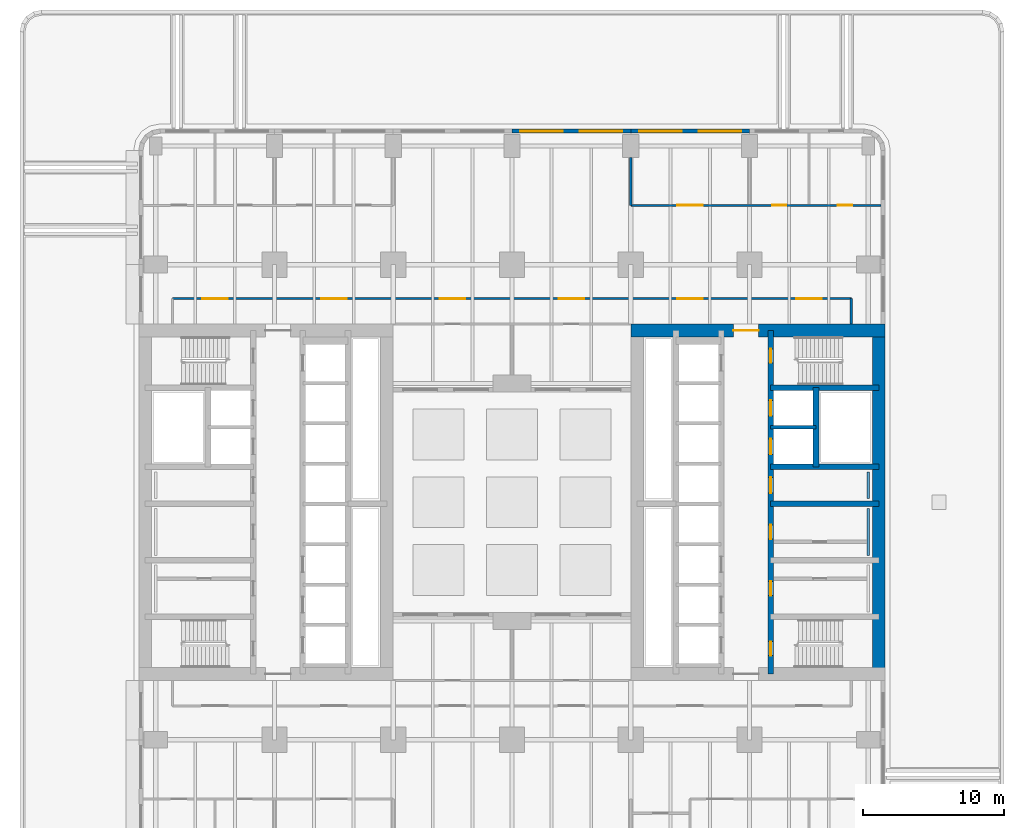
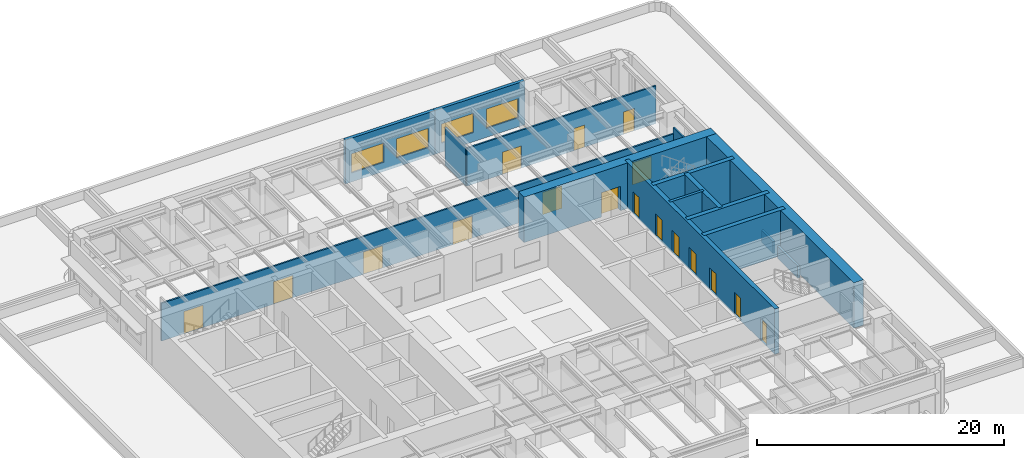
# One storey, part 8 of 17: 17 doors, 16 walls, 4 windows, 21 openings.
"""IFC4 building model written with IfcOpenShell, lengths in metres."""

from ifc_helpers import new_model, si_unit, direction, frame, frame_2d, origin, place, context, subcontext, project, spatial, rectangle, extrude, material, layer, layer_set, type_object, element, fill, save


model = new_model("IFC4")

# Units and contexts
model_context = context("Model", 3, precision=1e-05, world=origin(), true_north=direction((0.0, 1.0)))
body_context = subcontext(model_context, "Body", "Model", "MODEL_VIEW")
ifc_project = project(units=[si_unit("LENGTHUNIT", "METRE"), si_unit("AREAUNIT", "SQUARE_METRE"), si_unit("VOLUMEUNIT", "CUBIC_METRE"), si_unit("PLANEANGLEUNIT", "RADIAN"), si_unit("MASSUNIT", "GRAM", prefix="KILO")], contexts=[model_context])

# Site, building, storey
site_placement = place(None, origin())
site = spatial("IfcSite", under=ifc_project, at=site_placement, CompositionType="ELEMENT")
building_placement = place(site_placement, origin())
building = spatial("IfcBuilding", under=site, at=building_placement, Name="Claustro Exchange Tower", CompositionType="ELEMENT")
storey_placement = place(building_placement, frame((0.0, 0.0, 18.89990234375)))
storey = spatial("IfcBuildingStorey", under=building, at=storey_placement, Name="L04", CompositionType="ELEMENT", Elevation=18.89990234375)

# Wall, openings, doors
ifc_material_1 = material(Name="Gypsum board on steel studs", Category="steel")
ifc_layer_1 = layer(ifc_material_1, 0.14990234375)
ifc_layer_set_1 = layer_set([ifc_layer_1], Name="Gypsum board on steel studs")
wall_type_1 = type_object("IfcWallType", Name="P1 150 plasterboard partition", PredefinedType="PARTITIONING", material=ifc_layer_set_1)
wall_1_placement = place(storey_placement, frame((33.60009765625, 46.199951171875, 0.0), z_axis=(0.0, 0.0, 1.0), x_axis=(1.0, 0.0, 0.0)))
wall_1 = element("IfcWall", 1, at=wall_1_placement, inside=storey, type_object=wall_type_1, Name="Partition P1 L04", PredefinedType="PARTITIONING", context=body_context, shape_type="SweptSolid", body=[
    extrude(rectangle(XDim=17.701904296875, YDim=0.14990234375, at=frame_2d((8.85107421875, 0.0))), origin(), (0.0, 0.0, 1.0), 3.739990234375),
])
opening_1_placement = place(wall_1_placement, frame((3.300048828125, 0.0, 0.0)))
opening_1 = element("IfcOpeningElement", 2, at=opening_1_placement, cuts=wall_1, Name="Opening D2", PredefinedType="OPENING", context=body_context, shape_type="SweptSolid", body=[
    extrude(rectangle(XDim=1.800048828125, YDim=2.199951171875, at=frame_2d((0.89990234375, 1.10009765625))), frame((0.0, 0.0849609375, 0.0), z_axis=(0.0, -1.0, 0.0), x_axis=(1.0, 0.0, 0.0)), (0.0, 0.0, 1.0), 0.169921875),
])
opening_2_placement = place(wall_1_placement, frame((10.0, 0.0, 0.0)))
opening_2 = element("IfcOpeningElement", 3, at=opening_2_placement, cuts=wall_1, Name="Opening D1", PredefinedType="OPENING", context=body_context, shape_type="SweptSolid", body=[
    extrude(rectangle(XDim=1.0, YDim=2.199951171875, at=frame_2d((0.5, 1.10009765625))), frame((0.0, 0.0849609375, 0.0), z_axis=(0.0, -1.0, 0.0), x_axis=(1.0, 0.0, 0.0)), (0.0, 0.0, 1.0), 0.169921875),
])
opening_3_placement = place(wall_1_placement, frame((14.64990234375, 0.0, 0.0)))
opening_3 = element("IfcOpeningElement", 4, at=opening_3_placement, cuts=wall_1, Name="Opening D1", PredefinedType="OPENING", context=body_context, shape_type="SweptSolid", body=[
    extrude(rectangle(XDim=1.0, YDim=2.199951171875, at=frame_2d((0.5, 1.10009765625))), frame((0.0, 0.0849609375, 0.0), z_axis=(0.0, -1.0, 0.0), x_axis=(1.0, 0.0, 0.0)), (0.0, 0.0, 1.0), 0.169921875),
])
ifc_material_2 = material(Name="Timber door, oak veneer", Category="wood")
door_type_1 = type_object("IfcDoorType", Name="D1 1000 x 2200 single door", OperationType="SINGLE_SWING_LEFT", PredefinedType="DOOR", material=ifc_material_2)
door_1_placement = place(opening_2_placement, origin())
door_1 = element("IfcDoor", 5, at=door_1_placement, inside=storey, type_object=door_type_1, Name="Door D1 L04", OperationType="SINGLE_SWING_LEFT", OverallHeight=2.199951171875, OverallWidth=1.0, PredefinedType="DOOR", context=body_context, shape_type="SweptSolid", body=[
    extrude(rectangle(XDim=1.0, YDim=2.199951171875, at=frame_2d((0.5, 1.10009765625))), frame((0.0, 0.02490234375, 0.0), z_axis=(0.0, -1.0, 0.0), x_axis=(1.0, 0.0, 0.0)), (0.0, 0.0, 1.0), 0.050048828125),
])
fill(opening_2, door_1)
door_2_placement = place(opening_3_placement, origin())
door_2 = element("IfcDoor", 6, at=door_2_placement, inside=storey, type_object=door_type_1, Name="Door D1 L04", OperationType="SINGLE_SWING_LEFT", OverallHeight=2.199951171875, OverallWidth=1.0, PredefinedType="DOOR", context=body_context, shape_type="SweptSolid", body=[
    extrude(rectangle(XDim=1.0, YDim=2.199951171875, at=frame_2d((0.5, 1.10009765625))), frame((0.0, 0.02490234375, 0.0), z_axis=(0.0, -1.0, 0.0), x_axis=(1.0, 0.0, 0.0)), (0.0, 0.0, 1.0), 0.050048828125),
])
fill(opening_3, door_2)
ifc_material_3 = material(Name="Timber door, oak veneer", Category="wood")
door_type_2 = type_object("IfcDoorType", Name="D2 1800 x 2200 double door", OperationType="DOUBLE_DOOR_SINGLE_SWING", PredefinedType="DOOR", material=ifc_material_3)
door_3_placement = place(opening_1_placement, origin())
door_3 = element("IfcDoor", 7, at=door_3_placement, inside=storey, type_object=door_type_2, Name="Double door D2 L04", OperationType="DOUBLE_DOOR_SINGLE_SWING", OverallHeight=2.199951171875, OverallWidth=1.800048828125, PredefinedType="DOOR", context=body_context, shape_type="SweptSolid", body=[
    extrude(rectangle(XDim=1.800048828125, YDim=2.199951171875, at=frame_2d((0.89990234375, 1.10009765625))), frame((0.0, 0.02490234375, 0.0), z_axis=(0.0, -1.0, 0.0), x_axis=(1.0, 0.0, 0.0)), (0.0, 0.0, 1.0), 0.050048828125),
])
fill(opening_1, door_3)

# Wall
wall_2_placement = place(storey_placement, frame((33.60009765625, 46.199951171875, 0.0), z_axis=(0.0, 0.0, 1.0), x_axis=(0.0, 1.0, 0.0)))
element("IfcWall", 8, at=wall_2_placement, inside=storey, type_object=wall_type_1, Name="Partition P1 L04", PredefinedType="PARTITIONING", context=body_context, shape_type="SweptSolid", body=[
    extrude(rectangle(XDim=3.401123046875, YDim=0.14990234375, at=frame_2d((1.70068359375, 0.0))), origin(), (0.0, 0.0, 1.0), 3.739990234375),
])

# Wall, openings, doors
wall_3_placement = place(storey_placement, frame((1.199951171875, 39.60009765625, 0.0), z_axis=(0.0, 0.0, 1.0), x_axis=(1.0, 0.0, 0.0)))
wall_3 = element("IfcWall", 9, at=wall_3_placement, inside=storey, type_object=wall_type_1, Name="Partition P1 L04", PredefinedType="PARTITIONING", context=body_context, shape_type="SweptSolid", body=[
    extrude(rectangle(XDim=48.0, YDim=0.14990234375, at=frame_2d((24.0, 0.0))), origin(), (0.0, 0.0, 1.0), 3.739990234375),
])
opening_4_placement = place(wall_3_placement, frame((2.10009765625, 0.0, 0.0)))
opening_4 = element("IfcOpeningElement", 10, at=opening_4_placement, cuts=wall_3, Name="Opening D2", PredefinedType="OPENING", context=body_context, shape_type="SweptSolid", body=[
    extrude(rectangle(XDim=1.800048828125, YDim=2.199951171875, at=frame_2d((0.89990234375, 1.10009765625))), frame((0.0, 0.0849609375, 0.0), z_axis=(0.0, -1.0, 0.0), x_axis=(1.0, 0.0, 0.0)), (0.0, 0.0, 1.0), 0.169921875),
])
opening_5_placement = place(wall_3_placement, frame((10.5, 0.0, 0.0)))
opening_5 = element("IfcOpeningElement", 11, at=opening_5_placement, cuts=wall_3, Name="Opening D2", PredefinedType="OPENING", context=body_context, shape_type="SweptSolid", body=[
    extrude(rectangle(XDim=1.800048828125, YDim=2.199951171875, at=frame_2d((0.89990234375, 1.10009765625))), frame((0.0, 0.0849609375, 0.0), z_axis=(0.0, -1.0, 0.0), x_axis=(1.0, 0.0, 0.0)), (0.0, 0.0, 1.0), 0.169921875),
])
opening_6_placement = place(wall_3_placement, frame((18.89990234375, 0.0, 0.0)))
opening_6 = element("IfcOpeningElement", 12, at=opening_6_placement, cuts=wall_3, Name="Opening D2", PredefinedType="OPENING", context=body_context, shape_type="SweptSolid", body=[
    extrude(rectangle(XDim=1.800048828125, YDim=2.199951171875, at=frame_2d((0.89990234375, 1.10009765625))), frame((0.0, 0.0849609375, 0.0), z_axis=(0.0, -1.0, 0.0), x_axis=(1.0, 0.0, 0.0)), (0.0, 0.0, 1.0), 0.169921875),
])
opening_7_placement = place(wall_3_placement, frame((27.300048828125, 0.0, 0.0)))
opening_7 = element("IfcOpeningElement", 13, at=opening_7_placement, cuts=wall_3, Name="Opening D2", PredefinedType="OPENING", context=body_context, shape_type="SweptSolid", body=[
    extrude(rectangle(XDim=1.800048828125, YDim=2.199951171875, at=frame_2d((0.89990234375, 1.10009765625))), frame((0.0, 0.0849609375, 0.0), z_axis=(0.0, -1.0, 0.0), x_axis=(1.0, 0.0, 0.0)), (0.0, 0.0, 1.0), 0.169921875),
])
opening_8_placement = place(wall_3_placement, frame((35.699951171875, 0.0, 0.0)))
opening_8 = element("IfcOpeningElement", 14, at=opening_8_placement, cuts=wall_3, Name="Opening D2", PredefinedType="OPENING", context=body_context, shape_type="SweptSolid", body=[
    extrude(rectangle(XDim=1.800048828125, YDim=2.199951171875, at=frame_2d((0.89990234375, 1.10009765625))), frame((0.0, 0.0849609375, 0.0), z_axis=(0.0, -1.0, 0.0), x_axis=(1.0, 0.0, 0.0)), (0.0, 0.0, 1.0), 0.169921875),
])
opening_9_placement = place(wall_3_placement, frame((44.10009765625, 0.0, 0.0)))
opening_9 = element("IfcOpeningElement", 15, at=opening_9_placement, cuts=wall_3, Name="Opening D2", PredefinedType="OPENING", context=body_context, shape_type="SweptSolid", body=[
    extrude(rectangle(XDim=1.800048828125, YDim=2.199951171875, at=frame_2d((0.89990234375, 1.10009765625))), frame((0.0, 0.0849609375, 0.0), z_axis=(0.0, -1.0, 0.0), x_axis=(1.0, 0.0, 0.0)), (0.0, 0.0, 1.0), 0.169921875),
])
door_4_placement = place(opening_4_placement, origin())
door_4 = element("IfcDoor", 16, at=door_4_placement, inside=storey, type_object=door_type_2, Name="Double door D2 L04", OperationType="DOUBLE_DOOR_SINGLE_SWING", OverallHeight=2.199951171875, OverallWidth=1.800048828125, PredefinedType="DOOR", context=body_context, shape_type="SweptSolid", body=[
    extrude(rectangle(XDim=1.800048828125, YDim=2.199951171875, at=frame_2d((0.89990234375, 1.10009765625))), frame((0.0, 0.02490234375, 0.0), z_axis=(0.0, -1.0, 0.0), x_axis=(1.0, 0.0, 0.0)), (0.0, 0.0, 1.0), 0.050048828125),
])
fill(opening_4, door_4)
door_5_placement = place(opening_5_placement, origin())
door_5 = element("IfcDoor", 17, at=door_5_placement, inside=storey, type_object=door_type_2, Name="Double door D2 L04", OperationType="DOUBLE_DOOR_SINGLE_SWING", OverallHeight=2.199951171875, OverallWidth=1.800048828125, PredefinedType="DOOR", context=body_context, shape_type="SweptSolid", body=[
    extrude(rectangle(XDim=1.800048828125, YDim=2.199951171875, at=frame_2d((0.89990234375, 1.10009765625))), frame((0.0, 0.02490234375, 0.0), z_axis=(0.0, -1.0, 0.0), x_axis=(1.0, 0.0, 0.0)), (0.0, 0.0, 1.0), 0.050048828125),
])
fill(opening_5, door_5)
door_6_placement = place(opening_6_placement, origin())
door_6 = element("IfcDoor", 18, at=door_6_placement, inside=storey, type_object=door_type_2, Name="Double door D2 L04", OperationType="DOUBLE_DOOR_SINGLE_SWING", OverallHeight=2.199951171875, OverallWidth=1.800048828125, PredefinedType="DOOR", context=body_context, shape_type="SweptSolid", body=[
    extrude(rectangle(XDim=1.800048828125, YDim=2.199951171875, at=frame_2d((0.89990234375, 1.10009765625))), frame((0.0, 0.02490234375, 0.0), z_axis=(0.0, -1.0, 0.0), x_axis=(1.0, 0.0, 0.0)), (0.0, 0.0, 1.0), 0.050048828125),
])
fill(opening_6, door_6)
door_7_placement = place(opening_7_placement, origin())
door_7 = element("IfcDoor", 19, at=door_7_placement, inside=storey, type_object=door_type_2, Name="Double door D2 L04", OperationType="DOUBLE_DOOR_SINGLE_SWING", OverallHeight=2.199951171875, OverallWidth=1.800048828125, PredefinedType="DOOR", context=body_context, shape_type="SweptSolid", body=[
    extrude(rectangle(XDim=1.800048828125, YDim=2.199951171875, at=frame_2d((0.89990234375, 1.10009765625))), frame((0.0, 0.02490234375, 0.0), z_axis=(0.0, -1.0, 0.0), x_axis=(1.0, 0.0, 0.0)), (0.0, 0.0, 1.0), 0.050048828125),
])
fill(opening_7, door_7)
door_8_placement = place(opening_8_placement, origin())
door_8 = element("IfcDoor", 20, at=door_8_placement, inside=storey, type_object=door_type_2, Name="Double door D2 L04", OperationType="DOUBLE_DOOR_SINGLE_SWING", OverallHeight=2.199951171875, OverallWidth=1.800048828125, PredefinedType="DOOR", context=body_context, shape_type="SweptSolid", body=[
    extrude(rectangle(XDim=1.800048828125, YDim=2.199951171875, at=frame_2d((0.89990234375, 1.10009765625))), frame((0.0, 0.02490234375, 0.0), z_axis=(0.0, -1.0, 0.0), x_axis=(1.0, 0.0, 0.0)), (0.0, 0.0, 1.0), 0.050048828125),
])
fill(opening_8, door_8)
door_9_placement = place(opening_9_placement, origin())
door_9 = element("IfcDoor", 21, at=door_9_placement, inside=storey, type_object=door_type_2, Name="Double door D2 L04", OperationType="DOUBLE_DOOR_SINGLE_SWING", OverallHeight=2.199951171875, OverallWidth=1.800048828125, PredefinedType="DOOR", context=body_context, shape_type="SweptSolid", body=[
    extrude(rectangle(XDim=1.800048828125, YDim=2.199951171875, at=frame_2d((0.89990234375, 1.10009765625))), frame((0.0, 0.02490234375, 0.0), z_axis=(0.0, -1.0, 0.0), x_axis=(1.0, 0.0, 0.0)), (0.0, 0.0, 1.0), 0.050048828125),
])
fill(opening_9, door_9)

# Wall
wall_4_placement = place(storey_placement, frame((49.199951171875, 37.800048828125, 0.0), z_axis=(0.0, 0.0, 1.0), x_axis=(0.0, 1.0, 0.0)))
element("IfcWall", 22, at=wall_4_placement, inside=storey, type_object=wall_type_1, Name="Partition P1 L04", PredefinedType="PARTITIONING", context=body_context, shape_type="SweptSolid", body=[
    extrude(rectangle(XDim=1.800048828125, YDim=0.14990234375, at=frame_2d((0.89990234375, 0.0))), origin(), (0.0, 0.0, 1.0), 4.340087890625),
])

# Wall, openings, windows
ifc_material_4 = material(Name="Concrete HA-40 (C40/50), precast, white cement, acid-etched", Category="concrete")
ifc_layer_2 = layer(ifc_material_4, 0.300048828125)
ifc_layer_set_2 = layer_set([ifc_layer_2], Name="Concrete HA-40 (C40/50), precast, white cement, acid-etched")
wall_type_2 = type_object("IfcWallType", Name="PC1 300 precast concrete pier panel", PredefinedType="SOLIDWALL", material=ifc_layer_set_2)
wall_5_placement = place(storey_placement, frame((25.199951171875, 51.449951171875, 0.0), z_axis=(0.0, 0.0, 1.0), x_axis=(1.0, 0.0, 0.0)))
wall_5 = element("IfcWall", 23, at=wall_5_placement, inside=storey, type_object=wall_type_2, Name="Precast pier panel PC1 L04", PredefinedType="SOLIDWALL", context=body_context, shape_type="SweptSolid", body=[
    extrude(rectangle(XDim=8.400146484375, YDim=0.300048828125, at=frame_2d((4.2001953125, 0.0))), origin(), (0.0, 0.0, 1.0), 4.340087890625),
])
opening_10_placement = place(wall_5_placement, frame((0.60009765625, 0.0, 0.89990234375)))
opening_10 = element("IfcOpeningElement", 24, at=opening_10_placement, cuts=wall_5, Name="Opening W1", PredefinedType="OPENING", context=body_context, shape_type="SweptSolid", body=[
    extrude(rectangle(XDim=3.0, YDim=1.89990234375, at=frame_2d((1.5, 0.949951171875))), frame((0.0, 0.159912109375, 0.0), z_axis=(0.0, -1.0, 0.0), x_axis=(1.0, 0.0, 0.0)), (0.0, 0.0, 1.0), 0.320068359375),
])
opening_11_placement = place(wall_5_placement, frame((4.800048828125, 0.0, 0.89990234375)))
opening_11 = element("IfcOpeningElement", 25, at=opening_11_placement, cuts=wall_5, Name="Opening W1", PredefinedType="OPENING", context=body_context, shape_type="SweptSolid", body=[
    extrude(rectangle(XDim=3.0, YDim=1.89990234375, at=frame_2d((1.5, 0.949951171875))), frame((0.0, 0.159912109375, 0.0), z_axis=(0.0, -1.0, 0.0), x_axis=(1.0, 0.0, 0.0)), (0.0, 0.0, 1.0), 0.320068359375),
])
ifc_material_5 = material(Name="Aluminium frame, clear double glazing", Category="aluminium")
window_type = type_object("IfcWindowType", Name="W1 3000 x 1900 window", PartitioningType="SINGLE_PANEL", PredefinedType="WINDOW", material=ifc_material_5)
window_1_placement = place(opening_10_placement, origin())
window_1 = element("IfcWindow", 26, at=window_1_placement, inside=storey, type_object=window_type, Name="Window W1 L04", OverallHeight=1.89990234375, OverallWidth=3.0, PartitioningType="SINGLE_PANEL", PredefinedType="WINDOW", context=body_context, shape_type="SweptSolid", body=[
    extrude(rectangle(XDim=3.0, YDim=1.89990234375, at=frame_2d((1.5, 0.949951171875))), frame((0.0, 0.030029296875, 0.0), z_axis=(0.0, -1.0, 0.0), x_axis=(1.0, 0.0, 0.0)), (0.0, 0.0, 1.0), 0.06005859375),
])
fill(opening_10, window_1)
window_2_placement = place(opening_11_placement, origin())
window_2 = element("IfcWindow", 27, at=window_2_placement, inside=storey, type_object=window_type, Name="Window W1 L04", OverallHeight=1.89990234375, OverallWidth=3.0, PartitioningType="SINGLE_PANEL", PredefinedType="WINDOW", context=body_context, shape_type="SweptSolid", body=[
    extrude(rectangle(XDim=3.0, YDim=1.89990234375, at=frame_2d((1.5, 0.949951171875))), frame((0.0, 0.030029296875, 0.0), z_axis=(0.0, -1.0, 0.0), x_axis=(1.0, 0.0, 0.0)), (0.0, 0.0, 1.0), 0.06005859375),
])
fill(opening_11, window_2)

wall_6_placement = place(storey_placement, frame((33.60009765625, 51.449951171875, 0.0), z_axis=(0.0, 0.0, 1.0), x_axis=(1.0, 0.0, 0.0)))
wall_6 = element("IfcWall", 28, at=wall_6_placement, inside=storey, type_object=wall_type_2, Name="Precast pier panel PC1 L04", PredefinedType="SOLIDWALL", context=body_context, shape_type="SweptSolid", body=[
    extrude(rectangle(XDim=8.39990234375, YDim=0.300048828125, at=frame_2d((4.199951171875, 0.0))), origin(), (0.0, 0.0, 1.0), 4.340087890625),
])
opening_12_placement = place(wall_6_placement, frame((0.60009765625, 0.0, 0.89990234375)))
opening_12 = element("IfcOpeningElement", 29, at=opening_12_placement, cuts=wall_6, Name="Opening W1", PredefinedType="OPENING", context=body_context, shape_type="SweptSolid", body=[
    extrude(rectangle(XDim=3.0, YDim=1.89990234375, at=frame_2d((1.5, 0.949951171875))), frame((0.0, 0.159912109375, 0.0), z_axis=(0.0, -1.0, 0.0), x_axis=(1.0, 0.0, 0.0)), (0.0, 0.0, 1.0), 0.320068359375),
])
opening_13_placement = place(wall_6_placement, frame((4.800048828125, 0.0, 0.89990234375)))
opening_13 = element("IfcOpeningElement", 30, at=opening_13_placement, cuts=wall_6, Name="Opening W1", PredefinedType="OPENING", context=body_context, shape_type="SweptSolid", body=[
    extrude(rectangle(XDim=3.0, YDim=1.89990234375, at=frame_2d((1.5, 0.949951171875))), frame((0.0, 0.159912109375, 0.0), z_axis=(0.0, -1.0, 0.0), x_axis=(1.0, 0.0, 0.0)), (0.0, 0.0, 1.0), 0.320068359375),
])
window_3_placement = place(opening_12_placement, origin())
window_3 = element("IfcWindow", 31, at=window_3_placement, inside=storey, type_object=window_type, Name="Window W1 L04", OverallHeight=1.89990234375, OverallWidth=3.0, PartitioningType="SINGLE_PANEL", PredefinedType="WINDOW", context=body_context, shape_type="SweptSolid", body=[
    extrude(rectangle(XDim=3.0, YDim=1.89990234375, at=frame_2d((1.5, 0.949951171875))), frame((0.0, 0.030029296875, 0.0), z_axis=(0.0, -1.0, 0.0), x_axis=(1.0, 0.0, 0.0)), (0.0, 0.0, 1.0), 0.06005859375),
])
fill(opening_12, window_3)
window_4_placement = place(opening_13_placement, origin())
window_4 = element("IfcWindow", 32, at=window_4_placement, inside=storey, type_object=window_type, Name="Window W1 L04", OverallHeight=1.89990234375, OverallWidth=3.0, PartitioningType="SINGLE_PANEL", PredefinedType="WINDOW", context=body_context, shape_type="SweptSolid", body=[
    extrude(rectangle(XDim=3.0, YDim=1.89990234375, at=frame_2d((1.5, 0.949951171875))), frame((0.0, 0.030029296875, 0.0), z_axis=(0.0, -1.0, 0.0), x_axis=(1.0, 0.0, 0.0)), (0.0, 0.0, 1.0), 0.06005859375),
])
fill(opening_13, window_4)

# Walls
ifc_material_6 = material(Name="Gypsum board on steel studs, tiled", Category="steel")
ifc_layer_3 = layer(ifc_material_6, 0.199951171875)
ifc_layer_set_3 = layer_set([ifc_layer_3], Name="Gypsum board on steel studs, tiled")
wall_type_3 = type_object("IfcWallType", Name="PW1 200 WC duct wall", PredefinedType="PLUMBINGWALL", material=ifc_layer_set_3)
wall_7_placement = place(storey_placement, frame((50.39990234375, 21.449951171875, 0.0), z_axis=(0.0, 0.0, 1.0), x_axis=(0.0, 1.0, 0.0)))
element("IfcWall", 33, at=wall_7_placement, inside=storey, type_object=wall_type_3, Name="WC duct wall PW1 L04", PredefinedType="PLUMBINGWALL", context=body_context, shape_type="SweptSolid", body=[
    extrude(rectangle(XDim=3.300048828125, YDim=0.199951171875, at=frame_2d((1.64990234375, 0.0))), origin(), (0.0, 0.0, 1.0), 1.2001953125),
])
wall_8_placement = place(storey_placement, frame((50.39990234375, 25.449951171875, 0.0), z_axis=(0.0, 0.0, 1.0), x_axis=(0.0, 1.0, 0.0)))
element("IfcWall", 34, at=wall_8_placement, inside=storey, type_object=wall_type_3, Name="WC duct wall PW1 L04", PredefinedType="PLUMBINGWALL", context=body_context, shape_type="SweptSolid", body=[
    extrude(rectangle(XDim=1.900146484375, YDim=0.199951171875, at=frame_2d((0.9501953125, 0.0))), origin(), (0.0, 0.0, 1.0), 1.2001953125),
])

# Wall, opening, door
ifc_material_7 = material(Name="Concrete HA-70 (C70/85)", Category="concrete")
ifc_layer_4 = layer(ifc_material_7, 0.89990234375)
ifc_layer_set_4 = layer_set([ifc_layer_4], Name="Concrete HA-70 (C70/85)")
wall_type_4 = type_object("IfcWallType", Name="SW1 900 core shear wall", PredefinedType="SHEAR", material=ifc_layer_set_4)
wall_9_placement = place(storey_placement, frame((33.60009765625, 37.35009765625, 0.0), z_axis=(0.0, 0.0, 1.0), x_axis=(1.0, 0.0, 0.0)))
wall_9 = element("IfcWall", 35, at=wall_9_placement, inside=storey, type_object=wall_type_4, Name="Core wall SW1 E core N face L04", PredefinedType="SHEAR", context=body_context, shape_type="SweptSolid", body=[
    extrude(rectangle(XDim=18.0, YDim=0.89990234375, at=frame_2d((9.0, 0.0))), origin(), (0.0, 0.0, 1.0), 4.5),
])
opening_14_placement = place(wall_9_placement, frame((7.25, 0.0, 0.0)))
opening_14 = element("IfcOpeningElement", 36, at=opening_14_placement, cuts=wall_9, Name="Opening D3", PredefinedType="OPENING", context=body_context, shape_type="SweptSolid", body=[
    extrude(rectangle(XDim=1.800048828125, YDim=2.39990234375, at=frame_2d((0.89990234375, 1.199951171875))), frame((0.0, 0.4599609375, 0.0), z_axis=(0.0, -1.0, 0.0), x_axis=(1.0, 0.0, 0.0)), (0.0, 0.0, 1.0), 0.919921875),
])
ifc_material_8 = material(Name="Steel fire door, painted", Category="steel")
door_type_3 = type_object("IfcDoorType", Name="D3 1800 x 2400 fire-rated lobby double door", OperationType="DOUBLE_DOOR_SINGLE_SWING", PredefinedType="DOOR", material=ifc_material_8)
door_10_placement = place(opening_14_placement, frame((1.800048828125, 0.0, 0.0), z_axis=(0.0, 0.0, 1.0), x_axis=(-1.0, 0.0, 0.0)))
door_10 = element("IfcDoor", 37, at=door_10_placement, inside=storey, type_object=door_type_3, Name="Lift lobby door D3 L04", OperationType="DOUBLE_DOOR_SINGLE_SWING", OverallHeight=2.39990234375, OverallWidth=1.800048828125, PredefinedType="DOOR", context=body_context, shape_type="SweptSolid", body=[
    extrude(rectangle(XDim=1.800048828125, YDim=2.39990234375, at=frame_2d((0.89990234375, 1.199951171875))), frame((0.0, 0.02490234375, 0.0), z_axis=(0.0, -1.0, 0.0), x_axis=(1.0, 0.0, 0.0)), (0.0, 0.0, 1.0), 0.050048828125),
])
fill(opening_14, door_10)

# Wall
ifc_material_9 = material(Name="Concrete HA-70 (C70/85)", Category="concrete")
ifc_layer_5 = layer(ifc_material_9, 0.89990234375)
ifc_layer_set_5 = layer_set([ifc_layer_5], Name="Concrete HA-70 (C70/85)")
wall_type_5 = type_object("IfcWallType", Name="SW1X 900 exposed core shear wall, board-marked face", PredefinedType="SHEAR", material=ifc_layer_set_5)
wall_10_placement = place(storey_placement, frame((51.14990234375, 13.050048828125, 0.0), z_axis=(0.0, 0.0, 1.0), x_axis=(0.0, 1.0, 0.0)))
element("IfcWall", 38, at=wall_10_placement, inside=storey, type_object=wall_type_5, Name="Core wall SW1X E core E face L04", PredefinedType="SHEAR", context=body_context, shape_type="SweptSolid", body=[
    extrude(rectangle(XDim=24.300048828125, YDim=0.89990234375, at=frame_2d((12.14990234375, 0.0))), origin(), (0.0, 0.0, 1.0), 4.5),
])

# Wall, openings, doors
ifc_material_10 = material(Name="Concrete HA-50 (C50/60)", Category="concrete")
ifc_layer_6 = layer(ifc_material_10, 0.39990234375)
ifc_layer_set_6 = layer_set([ifc_layer_6], Name="Concrete HA-50 (C50/60)")
wall_type_6 = type_object("IfcWallType", Name="SW4 400 internal core wall", PredefinedType="SHEAR", material=ifc_layer_set_6)
wall_11_placement = place(storey_placement, frame((43.5, 13.050048828125, 0.0), z_axis=(0.0, 0.0, 1.0), x_axis=(0.0, 1.0, 0.0)))
wall_11 = element("IfcWall", 39, at=wall_11_placement, inside=storey, type_object=wall_type_6, Name="Internal core wall SW4 E core L04", PredefinedType="SHEAR", context=body_context, shape_type="SweptSolid", body=[
    extrude(rectangle(XDim=24.300048828125, YDim=0.39990234375, at=frame_2d((12.14990234375, 0.0))), origin(), (0.0, 0.0, 1.0), 4.5),
])
opening_15_placement = place(wall_11_placement, frame((1.300048828125, 0.0, 0.0)))
opening_15 = element("IfcOpeningElement", 40, at=opening_15_placement, cuts=wall_11, Name="Opening D4", PredefinedType="OPENING", context=body_context, shape_type="SweptSolid", body=[
    extrude(rectangle(XDim=1.0, YDim=2.199951171875, at=frame_2d((0.5, 1.10009765625))), frame((0.0, 0.2099609375, 0.0), z_axis=(0.0, -1.0, 0.0), x_axis=(1.0, 0.0, 0.0)), (0.0, 0.0, 1.0), 0.419921875),
])
opening_16_placement = place(wall_11_placement, frame((22.0, 0.0, 0.0)))
opening_16 = element("IfcOpeningElement", 41, at=opening_16_placement, cuts=wall_11, Name="Opening D4", PredefinedType="OPENING", context=body_context, shape_type="SweptSolid", body=[
    extrude(rectangle(XDim=1.0, YDim=2.199951171875, at=frame_2d((0.5, 1.10009765625))), frame((0.0, 0.2099609375, 0.0), z_axis=(0.0, -1.0, 0.0), x_axis=(1.0, 0.0, 0.0)), (0.0, 0.0, 1.0), 0.419921875),
])
opening_17_placement = place(wall_11_placement, frame((5.550048828125, 0.0, 0.0)))
opening_17 = element("IfcOpeningElement", 42, at=opening_17_placement, cuts=wall_11, Name="Opening D1", PredefinedType="OPENING", context=body_context, shape_type="SweptSolid", body=[
    extrude(rectangle(XDim=1.0, YDim=2.199951171875, at=frame_2d((0.5, 1.10009765625))), frame((0.0, 0.2099609375, 0.0), z_axis=(0.0, -1.0, 0.0), x_axis=(1.0, 0.0, 0.0)), (0.0, 0.0, 1.0), 0.419921875),
])
opening_18_placement = place(wall_11_placement, frame((9.550048828125, 0.0, 0.0)))
opening_18 = element("IfcOpeningElement", 43, at=opening_18_placement, cuts=wall_11, Name="Opening D1", PredefinedType="OPENING", context=body_context, shape_type="SweptSolid", body=[
    extrude(rectangle(XDim=1.0, YDim=2.199951171875, at=frame_2d((0.5, 1.10009765625))), frame((0.0, 0.2099609375, 0.0), z_axis=(0.0, -1.0, 0.0), x_axis=(1.0, 0.0, 0.0)), (0.0, 0.0, 1.0), 0.419921875),
])
opening_19_placement = place(wall_11_placement, frame((12.800048828125, 0.0, 0.0)))
opening_19 = element("IfcOpeningElement", 44, at=opening_19_placement, cuts=wall_11, Name="Opening D10", PredefinedType="OPENING", context=body_context, shape_type="SweptSolid", body=[
    extrude(rectangle(XDim=1.10009765625, YDim=2.199951171875, at=frame_2d((0.550048828125, 1.10009765625))), frame((0.0, 0.2099609375, 0.0), z_axis=(0.0, -1.0, 0.0), x_axis=(1.0, 0.0, 0.0)), (0.0, 0.0, 1.0), 0.419921875),
])
opening_20_placement = place(wall_11_placement, frame((15.53759765625, 0.0, 0.0)))
opening_20 = element("IfcOpeningElement", 45, at=opening_20_placement, cuts=wall_11, Name="Opening LD", PredefinedType="OPENING", context=body_context, shape_type="SweptSolid", body=[
    extrude(rectangle(XDim=1.10009765625, YDim=2.199951171875, at=frame_2d((0.550048828125, 1.10009765625))), frame((0.0, 0.2099609375, 0.0), z_axis=(0.0, -1.0, 0.0), x_axis=(1.0, 0.0, 0.0)), (0.0, 0.0, 1.0), 0.419921875),
])
opening_21_placement = place(wall_11_placement, frame((18.262451171875, 0.0, 0.0)))
opening_21 = element("IfcOpeningElement", 46, at=opening_21_placement, cuts=wall_11, Name="Opening LD", PredefinedType="OPENING", context=body_context, shape_type="SweptSolid", body=[
    extrude(rectangle(XDim=1.10009765625, YDim=2.199951171875, at=frame_2d((0.550048828125, 1.10009765625))), frame((0.0, 0.2099609375, 0.0), z_axis=(0.0, -1.0, 0.0), x_axis=(1.0, 0.0, 0.0)), (0.0, 0.0, 1.0), 0.419921875),
])
door_11_placement = place(opening_17_placement, frame((1.0, 0.0, 0.0), z_axis=(0.0, 0.0, 1.0), x_axis=(-1.0, 0.0, 0.0)))
door_11 = element("IfcDoor", 47, at=door_11_placement, inside=storey, type_object=door_type_1, Name="Door D1 L04", OperationType="SINGLE_SWING_LEFT", OverallHeight=2.199951171875, OverallWidth=1.0, PredefinedType="DOOR", context=body_context, shape_type="SweptSolid", body=[
    extrude(rectangle(XDim=1.0, YDim=2.199951171875, at=frame_2d((0.5, 1.10009765625))), frame((0.0, 0.02490234375, 0.0), z_axis=(0.0, -1.0, 0.0), x_axis=(1.0, 0.0, 0.0)), (0.0, 0.0, 1.0), 0.050048828125),
])
fill(opening_17, door_11)
door_12_placement = place(opening_18_placement, frame((1.0, 0.0, 0.0), z_axis=(0.0, 0.0, 1.0), x_axis=(-1.0, 0.0, 0.0)))
door_12 = element("IfcDoor", 48, at=door_12_placement, inside=storey, type_object=door_type_1, Name="Door D1 L04", OperationType="SINGLE_SWING_RIGHT", OverallHeight=2.199951171875, OverallWidth=1.0, PredefinedType="DOOR", context=body_context, shape_type="SweptSolid", body=[
    extrude(rectangle(XDim=1.0, YDim=2.199951171875, at=frame_2d((0.5, 1.10009765625))), frame((0.0, 0.02490234375, 0.0), z_axis=(0.0, -1.0, 0.0), x_axis=(1.0, 0.0, 0.0)), (0.0, 0.0, 1.0), 0.050048828125),
])
fill(opening_18, door_12)
ifc_material_11 = material(Name="Timber door, oak veneer", Category="wood")
door_type_4 = type_object("IfcDoorType", Name="D10 1100 x 2200 accessible WC door", OperationType="SINGLE_SWING_LEFT", PredefinedType="DOOR", material=ifc_material_11)
door_13_placement = place(opening_19_placement, origin())
door_13 = element("IfcDoor", 49, at=door_13_placement, inside=storey, type_object=door_type_4, Name="Accessible WC door D10 L04", OperationType="SINGLE_SWING_RIGHT", OverallHeight=2.199951171875, OverallWidth=1.10009765625, PredefinedType="DOOR", context=body_context, shape_type="SweptSolid", body=[
    extrude(rectangle(XDim=1.10009765625, YDim=2.199951171875, at=frame_2d((0.550048828125, 1.10009765625))), frame((0.0, 0.02490234375, 0.0), z_axis=(0.0, -1.0, 0.0), x_axis=(1.0, 0.0, 0.0)), (0.0, 0.0, 1.0), 0.050048828125),
])
fill(opening_19, door_13)
ifc_material_12 = material(Name="Steel fire door, painted", Category="steel")
door_type_5 = type_object("IfcDoorType", Name="D4 1000 x 2200 fire-rated stair door", OperationType="SINGLE_SWING_LEFT", PredefinedType="DOOR", material=ifc_material_12)
door_14_placement = place(opening_15_placement, frame((1.0, 0.0, 0.0), z_axis=(0.0, 0.0, 1.0), x_axis=(-1.0, 0.0, 0.0)))
door_14 = element("IfcDoor", 50, at=door_14_placement, inside=storey, type_object=door_type_5, Name="Stair door D4 L04", OperationType="SINGLE_SWING_RIGHT", OverallHeight=2.199951171875, OverallWidth=1.0, PredefinedType="DOOR", context=body_context, shape_type="SweptSolid", body=[
    extrude(rectangle(XDim=1.0, YDim=2.199951171875, at=frame_2d((0.5, 1.10009765625))), frame((0.0, 0.02490234375, 0.0), z_axis=(0.0, -1.0, 0.0), x_axis=(1.0, 0.0, 0.0)), (0.0, 0.0, 1.0), 0.050048828125),
])
fill(opening_15, door_14)
door_15_placement = place(opening_16_placement, frame((1.0, 0.0, 0.0), z_axis=(0.0, 0.0, 1.0), x_axis=(-1.0, 0.0, 0.0)))
door_15 = element("IfcDoor", 51, at=door_15_placement, inside=storey, type_object=door_type_5, Name="Stair door D4 L04", OperationType="SINGLE_SWING_LEFT", OverallHeight=2.199951171875, OverallWidth=1.0, PredefinedType="DOOR", context=body_context, shape_type="SweptSolid", body=[
    extrude(rectangle(XDim=1.0, YDim=2.199951171875, at=frame_2d((0.5, 1.10009765625))), frame((0.0, 0.02490234375, 0.0), z_axis=(0.0, -1.0, 0.0), x_axis=(1.0, 0.0, 0.0)), (0.0, 0.0, 1.0), 0.050048828125),
])
fill(opening_16, door_15)
ifc_material_13 = material(Name="Stainless steel sliding door", Category="steel")
door_type_6 = type_object("IfcDoorType", Name="LD 1100 x 2200 lift landing door", OperationType="DOUBLE_DOOR_SLIDING", PredefinedType="DOOR", material=ifc_material_13)
door_16_placement = place(opening_20_placement, origin())
door_16 = element("IfcDoor", 52, at=door_16_placement, inside=storey, type_object=door_type_6, Name="Lift landing door LEE1 LD L04", OperationType="DOUBLE_DOOR_SLIDING", OverallHeight=2.199951171875, OverallWidth=1.10009765625, PredefinedType="DOOR", context=body_context, shape_type="SweptSolid", body=[
    extrude(rectangle(XDim=1.10009765625, YDim=2.199951171875, at=frame_2d((0.550048828125, 1.10009765625))), frame((0.0, 0.02490234375, 0.0), z_axis=(0.0, -1.0, 0.0), x_axis=(1.0, 0.0, 0.0)), (0.0, 0.0, 1.0), 0.050048828125),
])
fill(opening_20, door_16)
door_17_placement = place(opening_21_placement, origin())
door_17 = element("IfcDoor", 53, at=door_17_placement, inside=storey, type_object=door_type_6, Name="Lift landing door LEE2 LD L04", OperationType="DOUBLE_DOOR_SLIDING", OverallHeight=2.199951171875, OverallWidth=1.10009765625, PredefinedType="DOOR", context=body_context, shape_type="SweptSolid", body=[
    extrude(rectangle(XDim=1.10009765625, YDim=2.199951171875, at=frame_2d((0.550048828125, 1.10009765625))), frame((0.0, 0.02490234375, 0.0), z_axis=(0.0, -1.0, 0.0), x_axis=(1.0, 0.0, 0.0)), (0.0, 0.0, 1.0), 0.050048828125),
])
fill(opening_21, door_17)

# Walls
for number, where, z_axis, x_axis, name in (
    (54, (51.14990234375, 25.10009765625, 0.0), (0.0, 0.0, 1.0), (-1.0, 0.0, 0.0), "Internal core wall SW4 E core L04"),
    (55, (51.14990234375, 27.699951171875, 0.0), (0.0, 0.0, 1.0), (-1.0, 0.0, 0.0), "Internal core wall SW4 E core L04"),
    (56, (51.14990234375, 33.300048828125, 0.0), (0.0, 0.0, 1.0), (-1.0, 0.0, 0.0), "Internal core wall SW4 E core L04"),
):
    element("IfcWall", number, at=place(storey_placement, frame(where, z_axis=z_axis, x_axis=x_axis)), inside=storey, type_object=wall_type_6, Name=name, PredefinedType="SHEAR", context=body_context, shape_type="SweptSolid", body=[
        extrude(rectangle(XDim=7.64990234375, YDim=0.39990234375, at=frame_2d((3.824951171875, 0.0))), origin(), (0.0, 0.0, 1.0), 4.5),
    ])
wall_12_placement = place(storey_placement, frame((46.699951171875, 27.699951171875, 0.0), z_axis=(0.0, 0.0, 1.0), x_axis=(0.0, 1.0, 0.0)))
element("IfcWall", 57, at=wall_12_placement, inside=storey, type_object=wall_type_6, Name="Internal core wall SW4 E core L04", PredefinedType="SHEAR", context=body_context, shape_type="SweptSolid", body=[
    extrude(rectangle(XDim=5.60009765625, YDim=0.39990234375, at=frame_2d((2.800048828125, 0.0))), origin(), (0.0, 0.0, 1.0), 4.5),
])
ifc_material_14 = material(Name="Concrete HA-50 (C50/60)", Category="concrete")
ifc_layer_7 = layer(ifc_material_14, 0.25)
ifc_layer_set_7 = layer_set([ifc_layer_7], Name="Concrete HA-50 (C50/60)")
wall_type_7 = type_object("IfcWallType", Name="SW5 250 lift shaft divider wall", PredefinedType="SHEAR", material=ifc_layer_set_7)
wall_13_placement = place(storey_placement, frame((46.699951171875, 30.5, 0.0), z_axis=(0.0, 0.0, 1.0), x_axis=(-1.0, 0.0, 0.0)))
element("IfcWall", 58, at=wall_13_placement, inside=storey, type_object=wall_type_7, Name="Lift shaft wall E core L04", PredefinedType="SHEAR", context=body_context, shape_type="SweptSolid", body=[
    extrude(rectangle(XDim=3.199951171875, YDim=0.25, at=frame_2d((1.60009765625, 0.0))), origin(), (0.0, 0.0, 1.0), 4.5),
])

save(model, "model.ifc")
